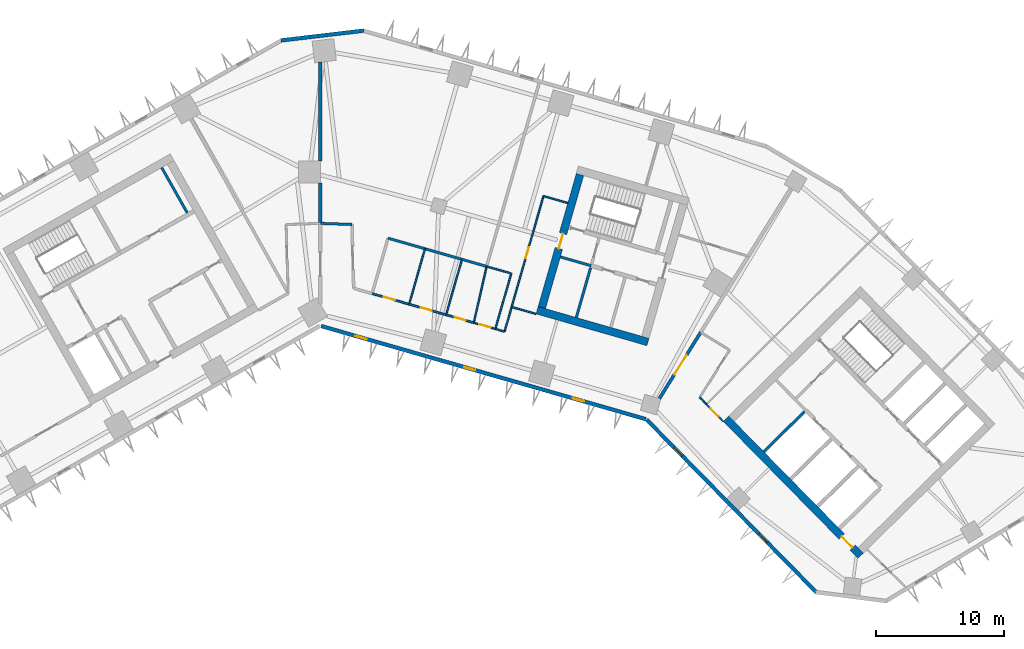
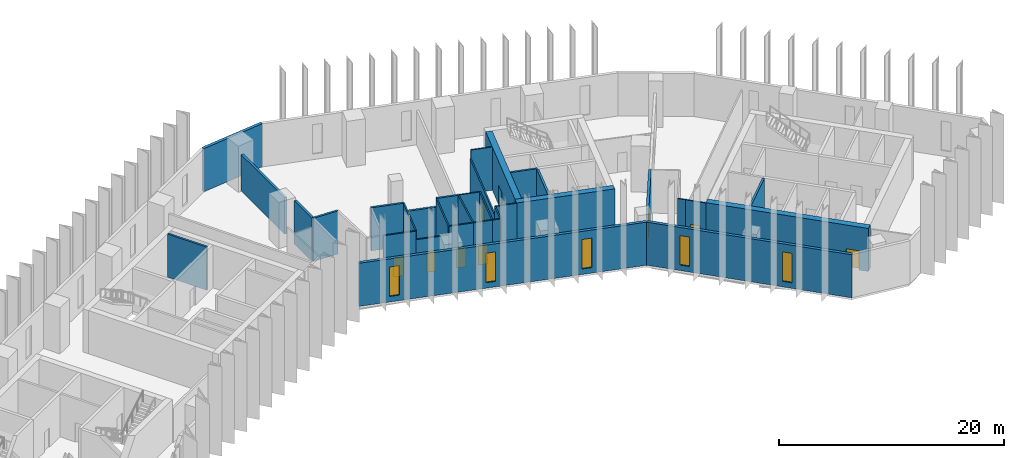
# One storey, part 5 of 11: 33 walls, 9 doors, 5 windows, 14 openings.
"""IFC4 building model written with IfcOpenShell, lengths in metres."""

from ifc_helpers import new_model, si_unit, direction, frame, frame_2d, origin, place, context, subcontext, project, spatial, rectangle, extrude, material, layer, layer_set, type_object, element, fill, save


model = new_model("IFC4")

# Units and contexts
model_context = context("Model", 3, precision=1e-05, world=origin(), true_north=direction((0.0, 1.0)))
body_context = subcontext(model_context, "Body", "Model", "MODEL_VIEW")
ifc_project = project(units=[si_unit("LENGTHUNIT", "METRE"), si_unit("AREAUNIT", "SQUARE_METRE"), si_unit("VOLUMEUNIT", "CUBIC_METRE"), si_unit("PLANEANGLEUNIT", "RADIAN"), si_unit("MASSUNIT", "GRAM", prefix="KILO")], contexts=[model_context])

# Site, building, storey
site_placement = place(None, origin())
site = spatial("IfcSite", under=ifc_project, at=site_placement, CompositionType="ELEMENT")
building_placement = place(site_placement, origin())
building = spatial("IfcBuilding", under=site, at=building_placement, Name="Binnacle Exchange Tower", CompositionType="ELEMENT")
storey_placement = place(building_placement, frame((0.0, 0.0, 66.5)))
storey = spatial("IfcBuildingStorey", under=building, at=storey_placement, Name="L13", CompositionType="ELEMENT", Elevation=66.5)

# Wall, opening, door
ifc_material_1 = material(Name="Concrete C70/85", Category="concrete")
ifc_layer_1 = layer(ifc_material_1, 0.60009765625)
ifc_layer_set_1 = layer_set([ifc_layer_1], Name="Core wall - outer 600")
wall_type_1 = type_object("IfcWallType", Name="Core wall - outer 600", PredefinedType="SOLIDWALL", material=ifc_layer_set_1)
wall_1_placement = place(storey_placement, frame((31.6455078125, 40.7626953125, 0.0), z_axis=(0.0, 0.0, 1.0), x_axis=(0.700911255944, -0.713248491965, 0.0)))
wall_1 = element("IfcWall", 1, at=wall_1_placement, inside=storey, type_object=wall_type_1, Name="Core wall CRWB1", PredefinedType="SOLIDWALL", context=body_context, shape_type="SweptSolid", body=[
    extrude(rectangle(XDim=15.0, YDim=0.60009765625, at=frame_2d((7.5, 0.0))), origin(), (0.0, 0.0, 1.0), 4.679931640625),
])
opening_1_placement = place(wall_1_placement, frame((12.89990234375, 0.0, 0.0)))
opening_1 = element("IfcOpeningElement", 2, at=opening_1_placement, cuts=wall_1, Name="Opening DB7", PredefinedType="OPENING", context=body_context, shape_type="SweptSolid", body=[
    extrude(rectangle(XDim=1.199951171875, YDim=2.10009765625, at=frame_2d((0.60009765625, 1.050048828125))), frame((0.0, 0.31005859375, 0.0), z_axis=(0.0, -1.0, 0.0), x_axis=(1.0, 0.0, 0.0)), (0.0, 0.0, 1.0), 0.6201171875),
])
ifc_material_2 = material(Name="Steel door leaf", Category="steel")
door_type_1 = type_object("IfcDoorType", Name="Fire door 1200", OperationType="NOTDEFINED", PredefinedType="DOOR", material=ifc_material_2)
door_1_placement = place(opening_1_placement, frame((1.199951171875, 0.0, 0.0), z_axis=(0.0, 0.0, 1.0), x_axis=(-1.0, 0.0, 0.0)))
door_1 = element("IfcDoor", 3, at=door_1_placement, inside=storey, type_object=door_type_1, Name="Lift lobby entrance door core B", OperationType="SINGLE_SWING_LEFT", OverallHeight=2.10009765625, OverallWidth=1.199951171875, PredefinedType="DOOR", context=body_context, shape_type="SweptSolid", body=[
    extrude(rectangle(XDim=1.199951171875, YDim=2.10009765625, at=frame_2d((0.60009765625, 1.050048828125))), frame((0.0, 0.02490234375, 0.0), z_axis=(0.0, -1.0, 0.0), x_axis=(1.0, 0.0, 0.0)), (0.0, 0.0, 1.0), 0.050048828125),
])
fill(opening_1, door_1)

# Wall
wall_2_placement = place(storey_placement, frame((16.91064453125, 49.22119140625, 0.0), z_axis=(0.0, 0.0, 1.0), x_axis=(0.96126248289, -0.275634611374, 0.0)))
element("IfcWall", 4, at=wall_2_placement, inside=storey, type_object=wall_type_1, Name="Core wall CRWD1", PredefinedType="SOLIDWALL", context=body_context, shape_type="SweptSolid", body=[
    extrude(rectangle(XDim=9.0, YDim=0.60009765625, at=frame_2d((4.5, 0.0))), origin(), (0.0, 0.0, 1.0), 4.679931640625),
])

# Wall, opening, door
wall_3_placement = place(storey_placement, frame((17.28173828125, 49.427001953125, 0.0), z_axis=(0.0, 0.0, 1.0), x_axis=(0.275631631629, 0.961263337304, 0.0)))
wall_3 = element("IfcWall", 5, at=wall_3_placement, inside=storey, type_object=wall_type_1, Name="Core wall CRWD7", PredefinedType="SOLIDWALL", context=body_context, shape_type="SweptSolid", body=[
    extrude(rectangle(XDim=10.800048828125, YDim=0.60009765625, at=frame_2d((5.39990234375, 0.0))), origin(), (0.0, 0.0, 1.0), 4.679931640625),
])
opening_2_placement = place(wall_3_placement, frame((4.800048828125, 0.0, 0.0)))
opening_2 = element("IfcOpeningElement", 6, at=opening_2_placement, cuts=wall_3, Name="Opening DD5", PredefinedType="OPENING", context=body_context, shape_type="SweptSolid", body=[
    extrude(rectangle(XDim=1.199951171875, YDim=2.10009765625, at=frame_2d((0.60009765625, 1.050048828125))), frame((0.0, 0.31005859375, 0.0), z_axis=(0.0, -1.0, 0.0), x_axis=(1.0, 0.0, 0.0)), (0.0, 0.0, 1.0), 0.6201171875),
])
door_2_placement = place(opening_2_placement, origin())
door_2 = element("IfcDoor", 7, at=door_2_placement, inside=storey, type_object=door_type_1, Name="Vestibule exit door VEST-W", OperationType="SINGLE_SWING_RIGHT", OverallHeight=2.10009765625, OverallWidth=1.199951171875, PredefinedType="DOOR", context=body_context, shape_type="SweptSolid", body=[
    extrude(rectangle(XDim=1.199951171875, YDim=2.10009765625, at=frame_2d((0.60009765625, 1.050048828125))), frame((0.0, 0.02490234375, 0.0), z_axis=(0.0, -1.0, 0.0), x_axis=(1.0, 0.0, 0.0)), (0.0, 0.0, 1.0), 0.050048828125),
])
fill(opening_2, door_2)

# Wall
ifc_material_3 = material(Name="Bronze aluminium cladding", Category="aluminium")
ifc_layer_2 = layer(ifc_material_3, 0.300048828125)
ifc_layer_set_2 = layer_set([ifc_layer_2], Name="External wall - spandrel 300")
wall_type_2 = type_object("IfcWallType", Name="External wall - spandrel 300", PredefinedType="STANDARD", material=ifc_layer_set_2)
wall_4_placement = place(storey_placement, frame((-3.076171875, 70.27294921875, 0.0), z_axis=(0.0, 0.0, 1.0), x_axis=(0.993067743007, 0.117543429416, 0.0)))
element("IfcWall", 8, at=wall_4_placement, inside=storey, type_object=wall_type_2, Name="External wall EW-F02 L13", PredefinedType="STANDARD", context=body_context, shape_type="SweptSolid", body=[
    extrude(rectangle(XDim=6.515625, YDim=0.300048828125, at=frame_2d((3.2578125, 0.0))), origin(), (0.0, 0.0, 1.0), 4.679931640625),
])

# Wall, openings, windows
wall_5_placement = place(storey_placement, frame((25.398193359375, 40.71728515625, 0.0), z_axis=(0.0, 0.0, 1.0), x_axis=(-0.961262423262, 0.275634819324, 0.0)))
wall_5 = element("IfcWall", 9, at=wall_5_placement, inside=storey, type_object=wall_type_2, Name="External wall EW-F08 L13", PredefinedType="STANDARD", context=body_context, shape_type="SweptSolid", body=[
    extrude(rectangle(XDim=26.358642578125, YDim=0.300048828125, at=frame_2d((13.17919921875, 0.0))), origin(), (0.0, 0.0, 1.0), 4.679931640625),
])
opening_3_placement = place(wall_5_placement, frame((22.6640625, 0.0, 0.60009765625)))
opening_3 = element("IfcOpeningElement", 10, at=opening_3_placement, cuts=wall_5, Name="Opening WS1", PredefinedType="OPENING", context=body_context, shape_type="SweptSolid", body=[
    extrude(rectangle(XDim=0.89990234375, YDim=3.199951171875, at=frame_2d((0.449951171875, 1.60009765625))), frame((0.0, 0.159912109375, 0.0), z_axis=(0.0, -1.0, 0.0), x_axis=(1.0, 0.0, 0.0)), (0.0, 0.0, 1.0), 0.320068359375),
])
opening_4_placement = place(wall_5_placement, frame((13.843505859375, 0.0, 0.60009765625)))
opening_4 = element("IfcOpeningElement", 11, at=opening_4_placement, cuts=wall_5, Name="Opening WS1", PredefinedType="OPENING", context=body_context, shape_type="SweptSolid", body=[
    extrude(rectangle(XDim=0.89990234375, YDim=3.199951171875, at=frame_2d((0.449951171875, 1.60009765625))), frame((0.0, 0.159912109375, 0.0), z_axis=(0.0, -1.0, 0.0), x_axis=(1.0, 0.0, 0.0)), (0.0, 0.0, 1.0), 0.320068359375),
])
opening_5_placement = place(wall_5_placement, frame((5.023193359375, 0.0, 0.60009765625)))
opening_5 = element("IfcOpeningElement", 12, at=opening_5_placement, cuts=wall_5, Name="Opening WS1", PredefinedType="OPENING", context=body_context, shape_type="SweptSolid", body=[
    extrude(rectangle(XDim=0.89990234375, YDim=3.199951171875, at=frame_2d((0.449951171875, 1.60009765625))), frame((0.0, 0.159912109375, 0.0), z_axis=(0.0, -1.0, 0.0), x_axis=(1.0, 0.0, 0.0)), (0.0, 0.0, 1.0), 0.320068359375),
])
ifc_material_4 = material(Name="Bronze anodised aluminium frame", Category="aluminium")
window_type = type_object("IfcWindowType", Name="WS1 WINDOW 900x3200", PartitioningType="SINGLE_PANEL", PredefinedType="WINDOW", material=ifc_material_4)
window_1_placement = place(opening_3_placement, origin())
window_1 = element("IfcWindow", 13, at=window_1_placement, inside=storey, type_object=window_type, Name="Window WS1 L13", OverallHeight=3.199951171875, OverallWidth=0.89990234375, PartitioningType="SINGLE_PANEL", PredefinedType="WINDOW", context=body_context, shape_type="SweptSolid", body=[
    extrude(rectangle(XDim=0.89990234375, YDim=3.199951171875, at=frame_2d((0.449951171875, 1.60009765625))), frame((0.0, 0.030029296875, 0.0), z_axis=(0.0, -1.0, 0.0), x_axis=(1.0, 0.0, 0.0)), (0.0, 0.0, 1.0), 0.06005859375),
])
fill(opening_3, window_1)
window_2_placement = place(opening_4_placement, origin())
window_2 = element("IfcWindow", 14, at=window_2_placement, inside=storey, type_object=window_type, Name="Window WS1 L13", OverallHeight=3.199951171875, OverallWidth=0.89990234375, PartitioningType="SINGLE_PANEL", PredefinedType="WINDOW", context=body_context, shape_type="SweptSolid", body=[
    extrude(rectangle(XDim=0.89990234375, YDim=3.199951171875, at=frame_2d((0.449951171875, 1.60009765625))), frame((0.0, 0.030029296875, 0.0), z_axis=(0.0, -1.0, 0.0), x_axis=(1.0, 0.0, 0.0)), (0.0, 0.0, 1.0), 0.06005859375),
])
fill(opening_4, window_2)
window_3_placement = place(opening_5_placement, origin())
window_3 = element("IfcWindow", 15, at=window_3_placement, inside=storey, type_object=window_type, Name="Window WS1 L13", OverallHeight=3.199951171875, OverallWidth=0.89990234375, PartitioningType="SINGLE_PANEL", PredefinedType="WINDOW", context=body_context, shape_type="SweptSolid", body=[
    extrude(rectangle(XDim=0.89990234375, YDim=3.199951171875, at=frame_2d((0.449951171875, 1.60009765625))), frame((0.0, 0.030029296875, 0.0), z_axis=(0.0, -1.0, 0.0), x_axis=(1.0, 0.0, 0.0)), (0.0, 0.0, 1.0), 0.06005859375),
])
fill(opening_5, window_3)

wall_6_placement = place(storey_placement, frame((38.727294921875, 27.18115234375, 0.0), z_axis=(0.0, 0.0, 1.0), x_axis=(-0.700906405975, 0.713253258011, 0.0)))
wall_6 = element("IfcWall", 16, at=wall_6_placement, inside=storey, type_object=wall_type_2, Name="External wall EW-F09 L13", PredefinedType="STANDARD", context=body_context, shape_type="SweptSolid", body=[
    extrude(rectangle(XDim=18.92333984375, YDim=0.300048828125, at=frame_2d((9.461669921875, 0.0))), origin(), (0.0, 0.0, 1.0), 4.679931640625),
])
opening_6_placement = place(wall_6_placement, frame((14.967041015625, 0.0, 0.60009765625)))
opening_6 = element("IfcOpeningElement", 17, at=opening_6_placement, cuts=wall_6, Name="Opening WS1", PredefinedType="OPENING", context=body_context, shape_type="SweptSolid", body=[
    extrude(rectangle(XDim=0.89990234375, YDim=3.199951171875, at=frame_2d((0.449951171875, 1.60009765625))), frame((0.0, 0.159912109375, 0.0), z_axis=(0.0, -1.0, 0.0), x_axis=(1.0, 0.0, 0.0)), (0.0, 0.0, 1.0), 0.320068359375),
])
opening_7_placement = place(wall_6_placement, frame((5.51171875, 0.0, 0.60009765625)))
opening_7 = element("IfcOpeningElement", 18, at=opening_7_placement, cuts=wall_6, Name="Opening WS1", PredefinedType="OPENING", context=body_context, shape_type="SweptSolid", body=[
    extrude(rectangle(XDim=0.89990234375, YDim=3.199951171875, at=frame_2d((0.449951171875, 1.60009765625))), frame((0.0, 0.159912109375, 0.0), z_axis=(0.0, -1.0, 0.0), x_axis=(1.0, 0.0, 0.0)), (0.0, 0.0, 1.0), 0.320068359375),
])
window_4_placement = place(opening_6_placement, origin())
window_4 = element("IfcWindow", 19, at=window_4_placement, inside=storey, type_object=window_type, Name="Window WS1 L13", OverallHeight=3.199951171875, OverallWidth=0.89990234375, PartitioningType="SINGLE_PANEL", PredefinedType="WINDOW", context=body_context, shape_type="SweptSolid", body=[
    extrude(rectangle(XDim=0.89990234375, YDim=3.199951171875, at=frame_2d((0.449951171875, 1.60009765625))), frame((0.0, 0.030029296875, 0.0), z_axis=(0.0, -1.0, 0.0), x_axis=(1.0, 0.0, 0.0)), (0.0, 0.0, 1.0), 0.06005859375),
])
fill(opening_6, window_4)
window_5_placement = place(opening_7_placement, origin())
window_5 = element("IfcWindow", 20, at=window_5_placement, inside=storey, type_object=window_type, Name="Window WS1 L13", OverallHeight=3.199951171875, OverallWidth=0.89990234375, PartitioningType="SINGLE_PANEL", PredefinedType="WINDOW", context=body_context, shape_type="SweptSolid", body=[
    extrude(rectangle(XDim=0.89990234375, YDim=3.199951171875, at=frame_2d((0.449951171875, 1.60009765625))), frame((0.0, 0.030029296875, 0.0), z_axis=(0.0, -1.0, 0.0), x_axis=(1.0, 0.0, 0.0)), (0.0, 0.0, 1.0), 0.06005859375),
])
fill(opening_7, window_5)

# Walls
ifc_material_5 = material(Name="Masonry block wall", Category="masonry")
ifc_layer_3 = layer(ifc_material_5, 0.199951171875)
ifc_layer_set_3 = layer_set([ifc_layer_3], Name="Fire wall - block 200")
wall_type_3 = type_object("IfcWallType", Name="Fire wall - block 200", PredefinedType="PARTITIONING", material=ifc_layer_set_3)
wall_7_placement = place(storey_placement, frame((0.0, 56.0, 0.0), z_axis=(0.0, 0.0, 1.0), x_axis=(0.999349313684, -0.036068673934, 0.0)))
element("IfcWall", 21, at=wall_7_placement, inside=storey, type_object=wall_type_3, Name="Partition W11", PredefinedType="PARTITIONING", context=body_context, shape_type="SweptSolid", body=[
    extrude(rectangle(XDim=2.470703125, YDim=0.199951171875, at=frame_2d((1.2353515625, 0.0))), origin(), (0.0, 0.0, 1.0), 4.679931640625),
])
wall_8_placement = place(storey_placement, frame((5.283935546875, 54.843994140625, 0.0), z_axis=(0.0, 0.0, 1.0), x_axis=(0.961243927922, -0.275699312717, 0.0)))
element("IfcWall", 22, at=wall_8_placement, inside=storey, type_object=wall_type_3, Name="Partition W17", PredefinedType="PARTITIONING", context=body_context, shape_type="SweptSolid", body=[
    extrude(rectangle(XDim=2.999267578125, YDim=0.199951171875, at=frame_2d((1.49951171875, 0.0))), origin(), (0.0, 0.0, 1.0), 4.679931640625),
])
wall_9_placement = place(storey_placement, frame((8.1669921875, 54.01708984375, 0.0), z_axis=(0.0, 0.0, 1.0), x_axis=(0.961247103494, -0.275688240636, 0.0)))
element("IfcWall", 23, at=wall_9_placement, inside=storey, type_object=wall_type_3, Name="Partition W20", PredefinedType="PARTITIONING", context=body_context, shape_type="SweptSolid", body=[
    extrude(rectangle(XDim=3.000244140625, YDim=0.199951171875, at=frame_2d((1.5, 0.0))), origin(), (0.0, 0.0, 1.0), 3.741943359375),
])
wall_10_placement = place(storey_placement, frame((11.051025390625, 53.18994140625, 0.0), z_axis=(0.0, 0.0, 1.0), x_axis=(0.961316434736, -0.275446387355, 0.0)))
element("IfcWall", 24, at=wall_10_placement, inside=storey, type_object=wall_type_3, Name="Partition W23", PredefinedType="PARTITIONING", context=body_context, shape_type="SweptSolid", body=[
    extrude(rectangle(XDim=2.00048828125, YDim=0.199951171875, at=frame_2d((1.000244140625, 0.0))), origin(), (0.0, 0.0, 1.0), 4.679931640625),
])
ifc_material_6 = material(Name="Concrete fire wall C30/37", Category="concrete")
ifc_layer_4 = layer(ifc_material_6, 0.25)
ifc_layer_set_4 = layer_set([ifc_layer_4], Name="Fire wall - compartment 250")
wall_type_4 = type_object("IfcWallType", Name="Fire wall - compartment 250", PredefinedType="PARTITIONING", material=ifc_layer_set_4)
wall_11_placement = place(storey_placement, frame((0.0, 56.0, 0.0), z_axis=(0.0, 0.0, 1.0), x_axis=(0.0, 1.0, 0.0)))
element("IfcWall", 25, at=wall_11_placement, inside=storey, type_object=wall_type_4, Name="Fire Wall W10", PredefinedType="PARTITIONING", context=body_context, shape_type="SweptSolid", body=[
    extrude(rectangle(XDim=3.14990234375, YDim=0.25, at=frame_2d((1.574951171875, 0.0))), origin(), (0.0, 0.0, 1.0), 4.679931640625),
])
wall_12_placement = place(storey_placement, frame((0.0, 60.85009765625, 0.0), z_axis=(0.0, 0.0, 1.0), x_axis=(0.0, 1.0, 0.0)))
element("IfcWall", 26, at=wall_12_placement, inside=storey, type_object=wall_type_4, Name="Fire Wall W12", PredefinedType="PARTITIONING", context=body_context, shape_type="SweptSolid", body=[
    extrude(rectangle(XDim=7.722900390625, YDim=0.25, at=frame_2d((3.861328125, 0.0))), origin(), (0.0, 0.0, 1.0), 3.951904296875),
])

# Wall, opening, door
wall_13_placement = place(storey_placement, frame((26.4560546875, 42.337890625, 0.0), z_axis=(0.0, 0.0, 1.0), x_axis=(0.52980027265, 0.848122438743, 0.0)))
wall_13 = element("IfcWall", 27, at=wall_13_placement, inside=storey, type_object=wall_type_4, Name="Fire Wall W35", PredefinedType="PARTITIONING", context=body_context, shape_type="SweptSolid", body=[
    extrude(rectangle(XDim=6.075927734375, YDim=0.25, at=frame_2d((3.0380859375, 0.0))), origin(), (0.0, 0.0, 1.0), 4.679931640625),
])
opening_8_placement = place(wall_13_placement, frame((2.199951171875, 0.0, 0.0)))
opening_8 = element("IfcOpeningElement", 28, at=opening_8_placement, cuts=wall_13, Name="Opening DL11-15", PredefinedType="OPENING", context=body_context, shape_type="SweptSolid", body=[
    extrude(rectangle(XDim=1.800048828125, YDim=2.10009765625, at=frame_2d((0.89990234375, 1.050048828125))), frame((0.0, 0.135009765625, 0.0), z_axis=(0.0, -1.0, 0.0), x_axis=(1.0, 0.0, 0.0)), (0.0, 0.0, 1.0), 0.27001953125),
])
door_type_2 = type_object("IfcDoorType", Name="Fire door 1800", OperationType="NOTDEFINED", PredefinedType="DOOR", material=ifc_material_2)
door_3_placement = place(opening_8_placement, origin())
door_3 = element("IfcDoor", 29, at=door_3_placement, inside=storey, type_object=door_type_2, Name="Door DL11-15", OperationType="DOUBLE_DOOR_SINGLE_SWING", OverallHeight=2.10009765625, OverallWidth=1.800048828125, PredefinedType="DOOR", context=body_context, shape_type="SweptSolid", body=[
    extrude(rectangle(XDim=1.800048828125, YDim=2.10009765625, at=frame_2d((0.89990234375, 1.050048828125))), frame((0.0, 0.02490234375, 0.0), z_axis=(0.0, -1.0, 0.0), x_axis=(1.0, 0.0, 0.0)), (0.0, 0.0, 1.0), 0.050048828125),
])
fill(opening_8, door_3)

ifc_material_7 = material(Name="Gypsum partition fire rated")
ifc_layer_5 = layer(ifc_material_7, 0.14990234375)
ifc_layer_set_5 = layer_set([ifc_layer_5], Name="Fire-rated partition 150")
wall_type_5 = type_object("IfcWallType", Name="Fire-rated partition 150", PredefinedType="PARTITIONING", material=ifc_layer_set_5)
wall_14_placement = place(storey_placement, frame((4.04296875, 50.51806640625, 0.0), z_axis=(0.0, 0.0, 1.0), x_axis=(0.961247103494, -0.275688240636, 0.0)))
wall_14 = element("IfcWall", 30, at=wall_14_placement, inside=storey, type_object=wall_type_5, Name="Partition W16", PredefinedType="PARTITIONING", context=body_context, shape_type="SweptSolid", body=[
    extrude(rectangle(XDim=3.000244140625, YDim=0.14990234375, at=frame_2d((1.5, 0.0))), origin(), (0.0, 0.0, 1.0), 4.679931640625),
])
opening_9_placement = place(wall_14_placement, frame((0.949951171875, 0.0, 0.0)))
opening_9 = element("IfcOpeningElement", 31, at=opening_9_placement, cuts=wall_14, Name="Opening DL11-04", PredefinedType="OPENING", context=body_context, shape_type="SweptSolid", body=[
    extrude(rectangle(XDim=0.89990234375, YDim=2.10009765625, at=frame_2d((0.449951171875, 1.050048828125))), frame((0.0, 0.0849609375, 0.0), z_axis=(0.0, -1.0, 0.0), x_axis=(1.0, 0.0, 0.0)), (0.0, 0.0, 1.0), 0.169921875),
])
door_type_3 = type_object("IfcDoorType", Name="Fire door 900", OperationType="NOTDEFINED", PredefinedType="DOOR", material=ifc_material_2)
door_4_placement = place(opening_9_placement, origin())
door_4 = element("IfcDoor", 32, at=door_4_placement, inside=storey, type_object=door_type_3, Name="Door DL11-04", OperationType="SINGLE_SWING_LEFT", OverallHeight=2.10009765625, OverallWidth=0.89990234375, PredefinedType="DOOR", context=body_context, shape_type="SweptSolid", body=[
    extrude(rectangle(XDim=0.89990234375, YDim=2.10009765625, at=frame_2d((0.449951171875, 1.050048828125))), frame((0.0, 0.02490234375, 0.0), z_axis=(0.0, -1.0, 0.0), x_axis=(1.0, 0.0, 0.0)), (0.0, 0.0, 1.0), 0.050048828125),
])
fill(opening_9, door_4)

wall_15_placement = place(storey_placement, frame((6.927001953125, 49.69091796875, 0.0), z_axis=(0.0, 0.0, 1.0), x_axis=(0.961268664977, -0.27561305073, 0.0)))
wall_15 = element("IfcWall", 33, at=wall_15_placement, inside=storey, type_object=wall_type_5, Name="Partition W19", PredefinedType="PARTITIONING", context=body_context, shape_type="SweptSolid", body=[
    extrude(rectangle(XDim=3.000244140625, YDim=0.14990234375, at=frame_2d((1.5, 0.0))), origin(), (0.0, 0.0, 1.0), 3.741943359375),
])
opening_10_placement = place(wall_15_placement, frame((0.949951171875, 0.0, 0.0)))
opening_10 = element("IfcOpeningElement", 34, at=opening_10_placement, cuts=wall_15, Name="Opening DL11-05", PredefinedType="OPENING", context=body_context, shape_type="SweptSolid", body=[
    extrude(rectangle(XDim=0.89990234375, YDim=2.10009765625, at=frame_2d((0.449951171875, 1.050048828125))), frame((0.0, 0.0849609375, 0.0), z_axis=(0.0, -1.0, 0.0), x_axis=(1.0, 0.0, 0.0)), (0.0, 0.0, 1.0), 0.169921875),
])
door_5_placement = place(opening_10_placement, origin())
door_5 = element("IfcDoor", 35, at=door_5_placement, inside=storey, type_object=door_type_3, Name="Door DL11-05", OperationType="SINGLE_SWING_LEFT", OverallHeight=2.10009765625, OverallWidth=0.89990234375, PredefinedType="DOOR", context=body_context, shape_type="SweptSolid", body=[
    extrude(rectangle(XDim=0.89990234375, YDim=2.10009765625, at=frame_2d((0.449951171875, 1.050048828125))), frame((0.0, 0.02490234375, 0.0), z_axis=(0.0, -1.0, 0.0), x_axis=(1.0, 0.0, 0.0)), (0.0, 0.0, 1.0), 0.050048828125),
])
fill(opening_10, door_5)

wall_16_placement = place(storey_placement, frame((9.81103515625, 48.864013671875, 0.0), z_axis=(0.0, 0.0, 1.0), x_axis=(0.961236680145, -0.275724581318, 0.0)))
wall_16 = element("IfcWall", 36, at=wall_16_placement, inside=storey, type_object=wall_type_5, Name="Partition W22", PredefinedType="PARTITIONING", context=body_context, shape_type="SweptSolid", body=[
    extrude(rectangle(XDim=2.2490234375, YDim=0.14990234375, at=frame_2d((1.12451171875, 0.0))), origin(), (0.0, 0.0, 1.0), 4.679931640625),
])
opening_11_placement = place(wall_16_placement, frame((0.699951171875, 0.0, 0.0)))
opening_11 = element("IfcOpeningElement", 37, at=opening_11_placement, cuts=wall_16, Name="Opening DL11-06", PredefinedType="OPENING", context=body_context, shape_type="SweptSolid", body=[
    extrude(rectangle(XDim=0.89990234375, YDim=2.10009765625, at=frame_2d((0.449951171875, 1.050048828125))), frame((0.0, 0.0849609375, 0.0), z_axis=(0.0, -1.0, 0.0), x_axis=(1.0, 0.0, 0.0)), (0.0, 0.0, 1.0), 0.169921875),
])
door_6_placement = place(opening_11_placement, origin())
door_6 = element("IfcDoor", 38, at=door_6_placement, inside=storey, type_object=door_type_3, Name="Door DL11-06", OperationType="SINGLE_SWING_RIGHT", OverallHeight=2.10009765625, OverallWidth=0.89990234375, PredefinedType="DOOR", context=body_context, shape_type="SweptSolid", body=[
    extrude(rectangle(XDim=0.89990234375, YDim=2.10009765625, at=frame_2d((0.449951171875, 1.050048828125))), frame((0.0, 0.02490234375, 0.0), z_axis=(0.0, -1.0, 0.0), x_axis=(1.0, 0.0, 0.0)), (0.0, 0.0, 1.0), 0.050048828125),
])
fill(opening_11, door_6)

# Walls
ifc_material_8 = material(Name="Gypsum partition")
ifc_layer_6 = layer(ifc_material_8, 0.125)
ifc_layer_set_6 = layer_set([ifc_layer_6], Name="Partition 125")
wall_type_6 = type_object("IfcWallType", Name="Partition 125", PredefinedType="PARTITIONING", material=ifc_layer_set_6)
wall_17_placement = place(storey_placement, frame((6.927001953125, 49.69091796875, 0.0), z_axis=(0.0, 0.0, 1.0), x_axis=(0.275530671241, 0.961292280841, 0.0)))
element("IfcWall", 39, at=wall_17_placement, inside=storey, type_object=wall_type_6, Name="Partition W18", PredefinedType="PARTITIONING", context=body_context, shape_type="SweptSolid", body=[
    extrude(rectangle(XDim=4.50048828125, YDim=0.125, at=frame_2d((2.250244140625, 0.0))), origin(), (0.0, 0.0, 1.0), 4.679931640625),
])
wall_18_placement = place(storey_placement, frame((9.81103515625, 48.864013671875, 0.0), z_axis=(0.0, 0.0, 1.0), x_axis=(0.275545040649, 0.96128816209, 0.0)))
element("IfcWall", 40, at=wall_18_placement, inside=storey, type_object=wall_type_6, Name="Partition W21", PredefinedType="PARTITIONING", context=body_context, shape_type="SweptSolid", body=[
    extrude(rectangle(XDim=4.500244140625, YDim=0.125, at=frame_2d((2.25, 0.0))), origin(), (0.0, 0.0, 1.0), 4.679931640625),
])
wall_19_placement = place(storey_placement, frame((11.972900390625, 48.243896484375, 0.0), z_axis=(0.0, 0.0, 1.0), x_axis=(0.222117362571, 0.975019936845, 0.0)))
element("IfcWall", 41, at=wall_19_placement, inside=storey, type_object=wall_type_6, Name="Partition W24", PredefinedType="PARTITIONING", context=body_context, shape_type="SweptSolid", body=[
    extrude(rectangle(XDim=4.507568359375, YDim=0.125, at=frame_2d((2.25390625, 0.0))), origin(), (0.0, 0.0, 1.0), 4.679931640625),
])

# Wall, opening, door
wall_20_placement = place(storey_placement, frame((11.972900390625, 48.243896484375, 0.0), z_axis=(0.0, 0.0, 1.0), x_axis=(0.96136592135, -0.275273618907, 0.0)))
wall_20 = element("IfcWall", 42, at=wall_20_placement, inside=storey, type_object=wall_type_6, Name="Partition W25", PredefinedType="PARTITIONING", context=body_context, shape_type="SweptSolid", body=[
    extrude(rectangle(XDim=1.750732421875, YDim=0.125, at=frame_2d((0.87548828125, 0.0))), origin(), (0.0, 0.0, 1.0), 4.679931640625),
])
opening_12_placement = place(wall_20_placement, frame((0.449951171875, 0.0, 0.0)))
opening_12 = element("IfcOpeningElement", 43, at=opening_12_placement, cuts=wall_20, Name="Opening DL11-07", PredefinedType="OPENING", context=body_context, shape_type="SweptSolid", body=[
    extrude(rectangle(XDim=0.89990234375, YDim=2.10009765625, at=frame_2d((0.449951171875, 1.050048828125))), frame((0.0, 0.072509765625, 0.0), z_axis=(0.0, -1.0, 0.0), x_axis=(1.0, 0.0, 0.0)), (0.0, 0.0, 1.0), 0.14501953125),
])
ifc_material_9 = material(Name="Timber door leaf", Category="wood")
door_type_4 = type_object("IfcDoorType", Name="Door 900", OperationType="NOTDEFINED", PredefinedType="DOOR", material=ifc_material_9)
door_7_placement = place(opening_12_placement, origin())
door_7 = element("IfcDoor", 44, at=door_7_placement, inside=storey, type_object=door_type_4, Name="Door DL11-07", OperationType="SINGLE_SWING_RIGHT", OverallHeight=2.10009765625, OverallWidth=0.89990234375, PredefinedType="DOOR", context=body_context, shape_type="SweptSolid", body=[
    extrude(rectangle(XDim=0.89990234375, YDim=2.10009765625, at=frame_2d((0.449951171875, 1.050048828125))), frame((0.0, 0.02490234375, 0.0), z_axis=(0.0, -1.0, 0.0), x_axis=(1.0, 0.0, 0.0)), (0.0, 0.0, 1.0), 0.050048828125),
])
fill(opening_12, door_7)

# Walls
wall_21_placement = place(storey_placement, frame((12.97412109375, 52.638916015625, 0.0), z_axis=(0.0, 0.0, 1.0), x_axis=(0.961270097305, -0.275608055084, 0.0)))
element("IfcWall", 45, at=wall_21_placement, inside=storey, type_object=wall_type_6, Name="Partition W26", PredefinedType="PARTITIONING", context=body_context, shape_type="SweptSolid", body=[
    extrude(rectangle(XDim=1.999267578125, YDim=0.125, at=frame_2d((0.99951171875, 0.0))), origin(), (0.0, 0.0, 1.0), 4.679931640625),
])
wall_22_placement = place(storey_placement, frame((13.656005859375, 47.761962890625, 0.0), z_axis=(0.0, 0.0, 1.0), x_axis=(0.961154610169, -0.276010534854, 0.0)))
element("IfcWall", 46, at=wall_22_placement, inside=storey, type_object=wall_type_6, Name="Partition W28", PredefinedType="PARTITIONING", context=body_context, shape_type="SweptSolid", body=[
    extrude(rectangle(XDim=0.75, YDim=0.125, at=frame_2d((0.375, 0.0))), origin(), (0.0, 0.0, 1.0), 4.679931640625),
])
wall_23_placement = place(storey_placement, frame((13.656005859375, 47.761962890625, 0.0), z_axis=(0.0, 0.0, 1.0), x_axis=(0.275545040649, 0.96128816209, 0.0)))
element("IfcWall", 47, at=wall_23_placement, inside=storey, type_object=wall_type_6, Name="Partition W29", PredefinedType="PARTITIONING", context=body_context, shape_type="SweptSolid", body=[
    extrude(rectangle(XDim=4.500244140625, YDim=0.125, at=frame_2d((2.25, 0.0))), origin(), (0.0, 0.0, 1.0), 4.679931640625),
])
wall_24_placement = place(storey_placement, frame((14.376953125, 47.554931640625, 0.0), z_axis=(0.0, 0.0, 1.0), x_axis=(0.275446387355, 0.961316434736, 0.0)))
element("IfcWall", 48, at=wall_24_placement, inside=storey, type_object=wall_type_6, Name="Partition W30", PredefinedType="PARTITIONING", context=body_context, shape_type="SweptSolid", body=[
    extrude(rectangle(XDim=2.00048828125, YDim=0.125, at=frame_2d((1.000244140625, 0.0))), origin(), (0.0, 0.0, 1.0), 4.679931640625),
])
wall_25_placement = place(storey_placement, frame((14.927978515625, 49.47802734375, 0.0), z_axis=(0.0, 0.0, 1.0), x_axis=(0.961243778232, -0.27569983462, 0.0)))
element("IfcWall", 49, at=wall_25_placement, inside=storey, type_object=wall_type_6, Name="Partition W31", PredefinedType="PARTITIONING", context=body_context, shape_type="SweptSolid", body=[
    extrude(rectangle(XDim=1.9765625, YDim=0.125, at=frame_2d((0.98828125, 0.0))), origin(), (0.0, 0.0, 1.0), 4.679931640625),
])

# Wall, opening, door
wall_26_placement = place(storey_placement, frame((14.927978515625, 49.47802734375, 0.0), z_axis=(0.0, 0.0, 1.0), x_axis=(0.275674053528, 0.961251172281, 0.0)))
wall_26 = element("IfcWall", 50, at=wall_26_placement, inside=storey, type_object=wall_type_6, Name="Partition W32", PredefinedType="PARTITIONING", context=body_context, shape_type="SweptSolid", body=[
    extrude(rectangle(XDim=8.99951171875, YDim=0.125, at=frame_2d((4.499755859375, 0.0))), origin(), (0.0, 0.0, 1.0), 3.741943359375),
])
opening_13_placement = place(wall_26_placement, frame((3.949951171875, 0.0, 0.0)))
opening_13 = element("IfcOpeningElement", 51, at=opening_13_placement, cuts=wall_26, Name="Opening DL11-09", PredefinedType="OPENING", context=body_context, shape_type="SweptSolid", body=[
    extrude(rectangle(XDim=0.89990234375, YDim=2.10009765625, at=frame_2d((0.449951171875, 1.050048828125))), frame((0.0, 0.072509765625, 0.0), z_axis=(0.0, -1.0, 0.0), x_axis=(1.0, 0.0, 0.0)), (0.0, 0.0, 1.0), 0.14501953125),
])
door_8_placement = place(opening_13_placement, origin())
door_8 = element("IfcDoor", 52, at=door_8_placement, inside=storey, type_object=door_type_4, Name="Door DL11-09", OperationType="SINGLE_SWING_LEFT", OverallHeight=2.10009765625, OverallWidth=0.89990234375, PredefinedType="DOOR", context=body_context, shape_type="SweptSolid", body=[
    extrude(rectangle(XDim=0.89990234375, YDim=2.10009765625, at=frame_2d((0.449951171875, 1.050048828125))), frame((0.0, 0.02490234375, 0.0), z_axis=(0.0, -1.0, 0.0), x_axis=(1.0, 0.0, 0.0)), (0.0, 0.0, 1.0), 0.050048828125),
])
fill(opening_13, door_8)

# Walls
wall_27_placement = place(storey_placement, frame((17.408935546875, 58.12890625, 0.0), z_axis=(0.0, 0.0, 1.0), x_axis=(0.961253165474, -0.275667103345, 0.0)))
element("IfcWall", 53, at=wall_27_placement, inside=storey, type_object=wall_type_6, Name="Partition W33", PredefinedType="PARTITIONING", context=body_context, shape_type="SweptSolid", body=[
    extrude(rectangle(XDim=1.976806640625, YDim=0.125, at=frame_2d((0.98828125, 0.0))), origin(), (0.0, 0.0, 1.0), 4.679931640625),
])
wall_28_placement = place(storey_placement, frame((29.60009765625, 42.416015625, 0.0), z_axis=(0.0, 0.0, 1.0), x_axis=(0.701711125926, -0.71246157493, 0.0)))
element("IfcWall", 54, at=wall_28_placement, inside=storey, type_object=wall_type_6, Name="Partition W37", PredefinedType="PARTITIONING", context=body_context, shape_type="SweptSolid", body=[
    extrude(rectangle(XDim=0.74951171875, YDim=0.125, at=frame_2d((0.374755859375, 0.0))), origin(), (0.0, 0.0, 1.0), 4.679931640625),
])

# Wall, opening, door
wall_29_placement = place(storey_placement, frame((30.1259765625, 41.882080078125, 0.0), z_axis=(0.0, 0.0, 1.0), x_axis=(0.700593717615, -0.713560398872, 0.0)))
wall_29 = element("IfcWall", 55, at=wall_29_placement, inside=storey, type_object=wall_type_6, Name="Partition W41", PredefinedType="PARTITIONING", context=body_context, shape_type="SweptSolid", body=[
    extrude(rectangle(XDim=1.864013671875, YDim=0.125, at=frame_2d((0.93212890625, 0.0))), origin(), (0.0, 0.0, 1.0), 4.679931640625),
])
opening_14_placement = place(wall_29_placement, frame((0.449951171875, 0.0, 0.0)))
opening_14 = element("IfcOpeningElement", 56, at=opening_14_placement, cuts=wall_29, Name="Opening DL11-12", PredefinedType="OPENING", context=body_context, shape_type="SweptSolid", body=[
    extrude(rectangle(XDim=0.89990234375, YDim=2.10009765625, at=frame_2d((0.449951171875, 1.050048828125))), frame((0.0, 0.072509765625, 0.0), z_axis=(0.0, -1.0, 0.0), x_axis=(1.0, 0.0, 0.0)), (0.0, 0.0, 1.0), 0.14501953125),
])
door_9_placement = place(opening_14_placement, origin())
door_9 = element("IfcDoor", 57, at=door_9_placement, inside=storey, type_object=door_type_4, Name="Door DL11-12", OperationType="SINGLE_SWING_LEFT", OverallHeight=2.10009765625, OverallWidth=0.89990234375, PredefinedType="DOOR", context=body_context, shape_type="SweptSolid", body=[
    extrude(rectangle(XDim=0.89990234375, YDim=2.10009765625, at=frame_2d((0.449951171875, 1.050048828125))), frame((0.0, 0.02490234375, 0.0), z_axis=(0.0, -1.0, 0.0), x_axis=(1.0, 0.0, 0.0)), (0.0, 0.0, 1.0), 0.050048828125),
])
fill(opening_14, door_9)

# Walls
ifc_layer_7 = layer(ifc_material_5, 0.199951171875)
ifc_layer_set_7 = layer_set([ifc_layer_7], Name="Riser wall 200")
wall_type_7 = type_object("IfcWallType", Name="Riser wall 200", PredefinedType="SOLIDWALL", material=ifc_layer_set_7)
wall_30_placement = place(storey_placement, frame((-12.377197265625, 60.3505859375, 0.0), z_axis=(0.0, 0.0, 1.0), x_axis=(0.492440575896, -0.870346068648, 0.0)))
element("IfcWall", 58, at=wall_30_placement, inside=storey, type_object=wall_type_7, Name="Core wall CRWC23", PredefinedType="SOLIDWALL", context=body_context, shape_type="SweptSolid", body=[
    extrude(rectangle(XDim=4.050048828125, YDim=0.199951171875, at=frame_2d((2.02490234375, 0.0))), origin(), (0.0, 0.0, 1.0), 4.679931640625),
])
wall_31_placement = place(storey_placement, frame((34.59326171875, 38.19140625, 0.0), z_axis=(0.0, 0.0, 1.0), x_axis=(0.713252216116, 0.700907466222, 0.0)))
element("IfcWall", 59, at=wall_31_placement, inside=storey, type_object=wall_type_7, Name="Core wall CRWB9", PredefinedType="SOLIDWALL", context=body_context, shape_type="SweptSolid", body=[
    extrude(rectangle(XDim=4.44970703125, YDim=0.199951171875, at=frame_2d((2.224853515625, 0.0))), origin(), (0.0, 0.0, 1.0), 4.679931640625),
])
wall_32_placement = place(storey_placement, frame((18.727783203125, 53.381591796875, 0.0), z_axis=(0.0, 0.0, 1.0), x_axis=(0.961247070632, -0.275688355216, 0.0)))
element("IfcWall", 60, at=wall_32_placement, inside=storey, type_object=wall_type_7, Name="Core wall CRWD2", PredefinedType="SOLIDWALL", context=body_context, shape_type="SweptSolid", body=[
    extrude(rectangle(XDim=2.5, YDim=0.199951171875, at=frame_2d((1.25, 0.0))), origin(), (0.0, 0.0, 1.0), 4.679931640625),
])
wall_33_placement = place(storey_placement, frame((19.97314453125, 48.6552734375, 0.0), z_axis=(0.0, 0.0, 1.0), x_axis=(0.275668441653, 0.961252781674, 0.0)))
element("IfcWall", 61, at=wall_33_placement, inside=storey, type_object=wall_type_7, Name="Core wall CRWD8", PredefinedType="SOLIDWALL", context=body_context, shape_type="SweptSolid", body=[
    extrude(rectangle(XDim=4.050048828125, YDim=0.199951171875, at=frame_2d((2.02490234375, 0.0))), origin(), (0.0, 0.0, 1.0), 4.679931640625),
])

save(model, "model.ifc")
